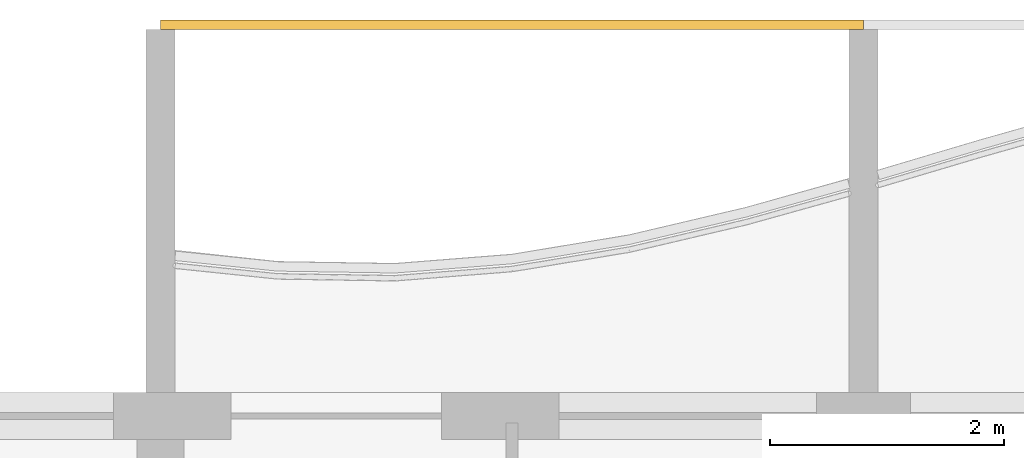
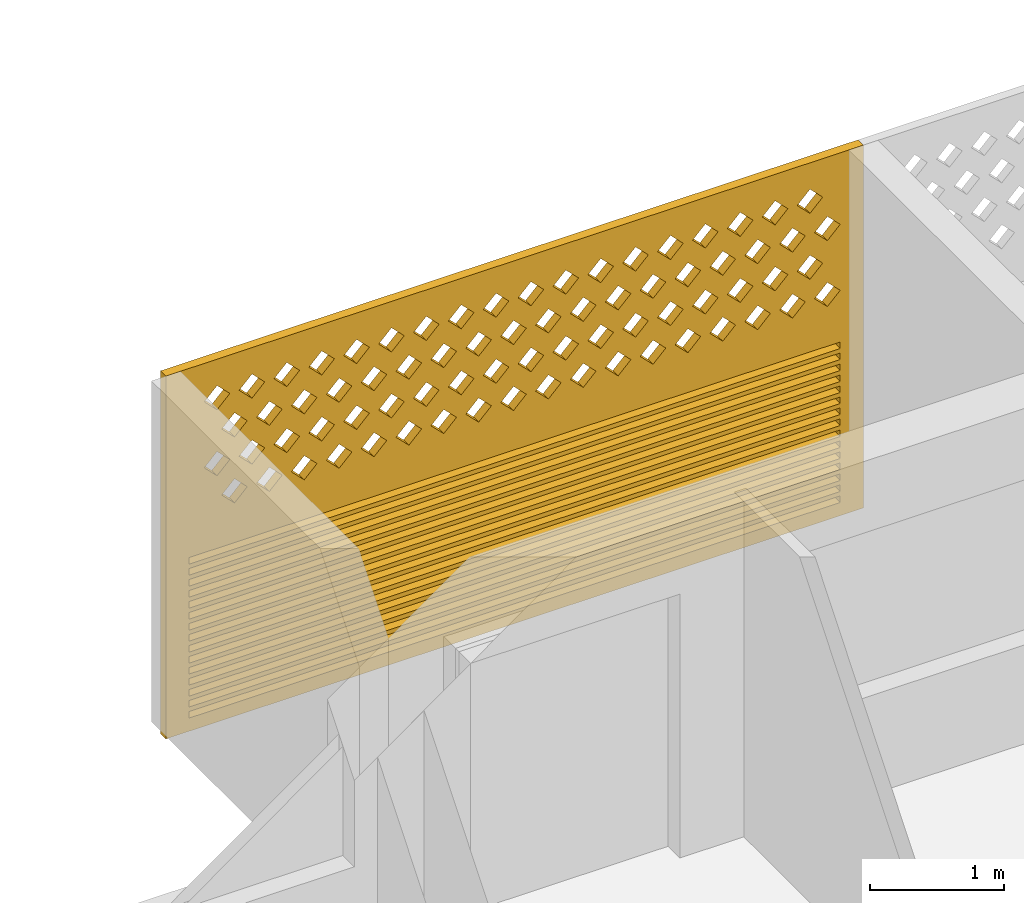
# One storey, part 34 of 40: 1 covering.
"""IFC4 building model written with IfcOpenShell, lengths in metres."""

from ifc_helpers import new_model, si_unit, direction, frame, origin, place, context, subcontext, project, spatial, polyline, outline, extrude, source, transform, mapped, material, material_profile, profile_set, type_object, element, save


model = new_model("IFC4")

# Units and contexts
model_context = context("Model", 3, precision=1e-05, world=origin(), true_north=direction((0.0, 1.0)))
body_context = subcontext(model_context, "Body", "Model", "MODEL_VIEW")
ifc_project = project(units=[si_unit("LENGTHUNIT", "METRE"), si_unit("AREAUNIT", "SQUARE_METRE"), si_unit("VOLUMEUNIT", "CUBIC_METRE"), si_unit("PLANEANGLEUNIT", "RADIAN"), si_unit("MASSUNIT", "GRAM", prefix="KILO")], contexts=[model_context])

# Site, building, storey
site_placement = place(None, origin())
site = spatial("IfcSite", under=ifc_project, at=site_placement, CompositionType="ELEMENT")
building_placement = place(site_placement, origin())
building = spatial("IfcBuilding", under=site, at=building_placement, Name="Poui Terraces", CompositionType="ELEMENT")
storey_placement = place(building_placement, frame((0.0, 0.0, 39.89990234375)))
storey = spatial("IfcBuildingStorey", under=building, at=storey_placement, Name="L10", CompositionType="ELEMENT", Elevation=39.89990234375)

# Covering
ifc_material = material(Name="Terracotta screen", Category="masonry")
ifc_material_profile = material_profile(ifc_material, outline(polyline([(-3.0, -1.64990234375), (3.0, -1.64990234375), (3.0, 1.64990234375), (-3.0, 1.64990234375), (-3.0, -1.64990234375)]), holes=[polyline([(-2.800048828125, 0.39990234375), (-2.68994140625, 0.2900390625), (-2.580078125, 0.39990234375), (-2.68994140625, 0.510009765625), (-2.800048828125, 0.39990234375)]), polyline([(-2.5, 0.39990234375), (-2.389892578125, 0.2900390625), (-2.280029296875, 0.39990234375), (-2.389892578125, 0.510009765625), (-2.5, 0.39990234375)]), polyline([(-2.199951171875, 0.39990234375), (-2.090087890625, 0.2900390625), (-1.97998046875, 0.39990234375), (-2.090087890625, 0.510009765625), (-2.199951171875, 0.39990234375)]), polyline([(-1.89990234375, 0.39990234375), (-1.7900390625, 0.2900390625), (-1.679931640625, 0.39990234375), (-1.7900390625, 0.510009765625), (-1.89990234375, 0.39990234375)]), polyline([(-1.60009765625, 0.39990234375), (-1.489990234375, 0.2900390625), (-1.3798828125, 0.39990234375), (-1.489990234375, 0.510009765625), (-1.60009765625, 0.39990234375)]), polyline([(-1.300048828125, 0.39990234375), (-1.18994140625, 0.2900390625), (-1.080078125, 0.39990234375), (-1.18994140625, 0.510009765625), (-1.300048828125, 0.39990234375)]), polyline([(-1.0, 0.39990234375), (-0.889892578125, 0.2900390625), (-0.780029296875, 0.39990234375), (-0.889892578125, 0.510009765625), (-1.0, 0.39990234375)]), polyline([(-0.699951171875, 0.39990234375), (-0.590087890625, 0.2900390625), (-0.47998046875, 0.39990234375), (-0.590087890625, 0.510009765625), (-0.699951171875, 0.39990234375)]), polyline([(-0.39990234375, 0.39990234375), (-0.2900390625, 0.2900390625), (-0.179931640625, 0.39990234375), (-0.2900390625, 0.510009765625), (-0.39990234375, 0.39990234375)]), polyline([(-0.10009765625, 0.39990234375), (0.010009765625, 0.2900390625), (0.1201171875, 0.39990234375), (0.010009765625, 0.510009765625), (-0.10009765625, 0.39990234375)]), polyline([(0.199951171875, 0.39990234375), (0.31005859375, 0.2900390625), (0.419921875, 0.39990234375), (0.31005859375, 0.510009765625), (0.199951171875, 0.39990234375)]), polyline([(0.5, 0.39990234375), (0.610107421875, 0.2900390625), (0.719970703125, 0.39990234375), (0.610107421875, 0.510009765625), (0.5, 0.39990234375)]), polyline([(0.800048828125, 0.39990234375), (0.909912109375, 0.2900390625), (1.02001953125, 0.39990234375), (0.909912109375, 0.510009765625), (0.800048828125, 0.39990234375)]), polyline([(1.10009765625, 0.39990234375), (1.2099609375, 0.2900390625), (1.320068359375, 0.39990234375), (1.2099609375, 0.510009765625), (1.10009765625, 0.39990234375)]), polyline([(1.39990234375, 0.39990234375), (1.510009765625, 0.2900390625), (1.6201171875, 0.39990234375), (1.510009765625, 0.510009765625), (1.39990234375, 0.39990234375)]), polyline([(1.699951171875, 0.39990234375), (1.81005859375, 0.2900390625), (1.919921875, 0.39990234375), (1.81005859375, 0.510009765625), (1.699951171875, 0.39990234375)]), polyline([(2.0, 0.39990234375), (2.110107421875, 0.2900390625), (2.219970703125, 0.39990234375), (2.110107421875, 0.510009765625), (2.0, 0.39990234375)]), polyline([(2.300048828125, 0.39990234375), (2.409912109375, 0.2900390625), (2.52001953125, 0.39990234375), (2.409912109375, 0.510009765625), (2.300048828125, 0.39990234375)]), polyline([(-2.64990234375, 0.699951171875), (-2.5400390625, 0.590087890625), (-2.429931640625, 0.699951171875), (-2.5400390625, 0.81005859375), (-2.64990234375, 0.699951171875)]), polyline([(-2.35009765625, 0.699951171875), (-2.239990234375, 0.590087890625), (-2.1298828125, 0.699951171875), (-2.239990234375, 0.81005859375), (-2.35009765625, 0.699951171875)]), polyline([(-2.050048828125, 0.699951171875), (-1.93994140625, 0.590087890625), (-1.830078125, 0.699951171875), (-1.93994140625, 0.81005859375), (-2.050048828125, 0.699951171875)]), polyline([(-1.75, 0.699951171875), (-1.639892578125, 0.590087890625), (-1.530029296875, 0.699951171875), (-1.639892578125, 0.81005859375), (-1.75, 0.699951171875)]), polyline([(-1.449951171875, 0.699951171875), (-1.340087890625, 0.590087890625), (-1.22998046875, 0.699951171875), (-1.340087890625, 0.81005859375), (-1.449951171875, 0.699951171875)]), polyline([(-1.14990234375, 0.699951171875), (-1.0400390625, 0.590087890625), (-0.929931640625, 0.699951171875), (-1.0400390625, 0.81005859375), (-1.14990234375, 0.699951171875)]), polyline([(-0.85009765625, 0.699951171875), (-0.739990234375, 0.590087890625), (-0.6298828125, 0.699951171875), (-0.739990234375, 0.81005859375), (-0.85009765625, 0.699951171875)]), polyline([(-0.550048828125, 0.699951171875), (-0.43994140625, 0.590087890625), (-0.330078125, 0.699951171875), (-0.43994140625, 0.81005859375), (-0.550048828125, 0.699951171875)]), polyline([(-0.25, 0.699951171875), (-0.139892578125, 0.590087890625), (-0.030029296875, 0.699951171875), (-0.139892578125, 0.81005859375), (-0.25, 0.699951171875)]), polyline([(0.050048828125, 0.699951171875), (0.159912109375, 0.590087890625), (0.27001953125, 0.699951171875), (0.159912109375, 0.81005859375), (0.050048828125, 0.699951171875)]), polyline([(0.35009765625, 0.699951171875), (0.4599609375, 0.590087890625), (0.570068359375, 0.699951171875), (0.4599609375, 0.81005859375), (0.35009765625, 0.699951171875)]), polyline([(0.64990234375, 0.699951171875), (0.760009765625, 0.590087890625), (0.8701171875, 0.699951171875), (0.760009765625, 0.81005859375), (0.64990234375, 0.699951171875)]), polyline([(0.949951171875, 0.699951171875), (1.06005859375, 0.590087890625), (1.169921875, 0.699951171875), (1.06005859375, 0.81005859375), (0.949951171875, 0.699951171875)]), polyline([(1.25, 0.699951171875), (1.360107421875, 0.590087890625), (1.469970703125, 0.699951171875), (1.360107421875, 0.81005859375), (1.25, 0.699951171875)]), polyline([(1.550048828125, 0.699951171875), (1.659912109375, 0.590087890625), (1.77001953125, 0.699951171875), (1.659912109375, 0.81005859375), (1.550048828125, 0.699951171875)]), polyline([(1.85009765625, 0.699951171875), (1.9599609375, 0.590087890625), (2.070068359375, 0.699951171875), (1.9599609375, 0.81005859375), (1.85009765625, 0.699951171875)]), polyline([(2.14990234375, 0.699951171875), (2.260009765625, 0.590087890625), (2.3701171875, 0.699951171875), (2.260009765625, 0.81005859375), (2.14990234375, 0.699951171875)]), polyline([(2.449951171875, 0.699951171875), (2.56005859375, 0.590087890625), (2.669921875, 0.699951171875), (2.56005859375, 0.81005859375), (2.449951171875, 0.699951171875)]), polyline([(-2.800048828125, 1.0), (-2.68994140625, 0.889892578125), (-2.580078125, 1.0), (-2.68994140625, 1.110107421875), (-2.800048828125, 1.0)]), polyline([(-2.5, 1.0), (-2.389892578125, 0.889892578125), (-2.280029296875, 1.0), (-2.389892578125, 1.110107421875), (-2.5, 1.0)]), polyline([(-2.199951171875, 1.0), (-2.090087890625, 0.889892578125), (-1.97998046875, 1.0), (-2.090087890625, 1.110107421875), (-2.199951171875, 1.0)]), polyline([(-1.89990234375, 1.0), (-1.7900390625, 0.889892578125), (-1.679931640625, 1.0), (-1.7900390625, 1.110107421875), (-1.89990234375, 1.0)]), polyline([(-1.60009765625, 1.0), (-1.489990234375, 0.889892578125), (-1.3798828125, 1.0), (-1.489990234375, 1.110107421875), (-1.60009765625, 1.0)]), polyline([(-1.300048828125, 1.0), (-1.18994140625, 0.889892578125), (-1.080078125, 1.0), (-1.18994140625, 1.110107421875), (-1.300048828125, 1.0)]), polyline([(-1.0, 1.0), (-0.889892578125, 0.889892578125), (-0.780029296875, 1.0), (-0.889892578125, 1.110107421875), (-1.0, 1.0)]), polyline([(-0.699951171875, 1.0), (-0.590087890625, 0.889892578125), (-0.47998046875, 1.0), (-0.590087890625, 1.110107421875), (-0.699951171875, 1.0)]), polyline([(-0.39990234375, 1.0), (-0.2900390625, 0.889892578125), (-0.179931640625, 1.0), (-0.2900390625, 1.110107421875), (-0.39990234375, 1.0)]), polyline([(-0.10009765625, 1.0), (0.010009765625, 0.889892578125), (0.1201171875, 1.0), (0.010009765625, 1.110107421875), (-0.10009765625, 1.0)]), polyline([(0.199951171875, 1.0), (0.31005859375, 0.889892578125), (0.419921875, 1.0), (0.31005859375, 1.110107421875), (0.199951171875, 1.0)]), polyline([(0.5, 1.0), (0.610107421875, 0.889892578125), (0.719970703125, 1.0), (0.610107421875, 1.110107421875), (0.5, 1.0)]), polyline([(0.800048828125, 1.0), (0.909912109375, 0.889892578125), (1.02001953125, 1.0), (0.909912109375, 1.110107421875), (0.800048828125, 1.0)]), polyline([(1.10009765625, 1.0), (1.2099609375, 0.889892578125), (1.320068359375, 1.0), (1.2099609375, 1.110107421875), (1.10009765625, 1.0)]), polyline([(1.39990234375, 1.0), (1.510009765625, 0.889892578125), (1.6201171875, 1.0), (1.510009765625, 1.110107421875), (1.39990234375, 1.0)]), polyline([(1.699951171875, 1.0), (1.81005859375, 0.889892578125), (1.919921875, 1.0), (1.81005859375, 1.110107421875), (1.699951171875, 1.0)]), polyline([(2.0, 1.0), (2.110107421875, 0.889892578125), (2.219970703125, 1.0), (2.110107421875, 1.110107421875), (2.0, 1.0)]), polyline([(2.300048828125, 1.0), (2.409912109375, 0.889892578125), (2.52001953125, 1.0), (2.409912109375, 1.110107421875), (2.300048828125, 1.0)]), polyline([(-2.64990234375, 1.300048828125), (-2.5400390625, 1.18994140625), (-2.429931640625, 1.300048828125), (-2.5400390625, 1.409912109375), (-2.64990234375, 1.300048828125)]), polyline([(-2.35009765625, 1.300048828125), (-2.239990234375, 1.18994140625), (-2.1298828125, 1.300048828125), (-2.239990234375, 1.409912109375), (-2.35009765625, 1.300048828125)]), polyline([(-2.050048828125, 1.300048828125), (-1.93994140625, 1.18994140625), (-1.830078125, 1.300048828125), (-1.93994140625, 1.409912109375), (-2.050048828125, 1.300048828125)]), polyline([(-1.75, 1.300048828125), (-1.639892578125, 1.18994140625), (-1.530029296875, 1.300048828125), (-1.639892578125, 1.409912109375), (-1.75, 1.300048828125)]), polyline([(-1.449951171875, 1.300048828125), (-1.340087890625, 1.18994140625), (-1.22998046875, 1.300048828125), (-1.340087890625, 1.409912109375), (-1.449951171875, 1.300048828125)]), polyline([(-1.14990234375, 1.300048828125), (-1.0400390625, 1.18994140625), (-0.929931640625, 1.300048828125), (-1.0400390625, 1.409912109375), (-1.14990234375, 1.300048828125)]), polyline([(-0.85009765625, 1.300048828125), (-0.739990234375, 1.18994140625), (-0.6298828125, 1.300048828125), (-0.739990234375, 1.409912109375), (-0.85009765625, 1.300048828125)]), polyline([(-0.550048828125, 1.300048828125), (-0.43994140625, 1.18994140625), (-0.330078125, 1.300048828125), (-0.43994140625, 1.409912109375), (-0.550048828125, 1.300048828125)]), polyline([(-0.25, 1.300048828125), (-0.139892578125, 1.18994140625), (-0.030029296875, 1.300048828125), (-0.139892578125, 1.409912109375), (-0.25, 1.300048828125)]), polyline([(0.050048828125, 1.300048828125), (0.159912109375, 1.18994140625), (0.27001953125, 1.300048828125), (0.159912109375, 1.409912109375), (0.050048828125, 1.300048828125)]), polyline([(0.35009765625, 1.300048828125), (0.4599609375, 1.18994140625), (0.570068359375, 1.300048828125), (0.4599609375, 1.409912109375), (0.35009765625, 1.300048828125)]), polyline([(0.64990234375, 1.300048828125), (0.760009765625, 1.18994140625), (0.8701171875, 1.300048828125), (0.760009765625, 1.409912109375), (0.64990234375, 1.300048828125)]), polyline([(0.949951171875, 1.300048828125), (1.06005859375, 1.18994140625), (1.169921875, 1.300048828125), (1.06005859375, 1.409912109375), (0.949951171875, 1.300048828125)]), polyline([(1.25, 1.300048828125), (1.360107421875, 1.18994140625), (1.469970703125, 1.300048828125), (1.360107421875, 1.409912109375), (1.25, 1.300048828125)]), polyline([(1.550048828125, 1.300048828125), (1.659912109375, 1.18994140625), (1.77001953125, 1.300048828125), (1.659912109375, 1.409912109375), (1.550048828125, 1.300048828125)]), polyline([(1.85009765625, 1.300048828125), (1.9599609375, 1.18994140625), (2.070068359375, 1.300048828125), (1.9599609375, 1.409912109375), (1.85009765625, 1.300048828125)]), polyline([(2.14990234375, 1.300048828125), (2.260009765625, 1.18994140625), (2.3701171875, 1.300048828125), (2.260009765625, 1.409912109375), (2.14990234375, 1.300048828125)]), polyline([(2.449951171875, 1.300048828125), (2.56005859375, 1.18994140625), (2.669921875, 1.300048828125), (2.56005859375, 1.409912109375), (2.449951171875, 1.300048828125)]), polyline([(-2.800048828125, -1.530029296875), (2.800048828125, -1.530029296875), (2.800048828125, -1.469970703125), (-2.800048828125, -1.469970703125), (-2.800048828125, -1.530029296875)]), polyline([(-2.800048828125, -1.429931640625), (2.800048828125, -1.429931640625), (2.800048828125, -1.3701171875), (-2.800048828125, -1.3701171875), (-2.800048828125, -1.429931640625)]), polyline([(-2.800048828125, -1.330078125), (2.800048828125, -1.330078125), (2.800048828125, -1.27001953125), (-2.800048828125, -1.27001953125), (-2.800048828125, -1.330078125)]), polyline([(-2.800048828125, -1.22998046875), (2.800048828125, -1.22998046875), (2.800048828125, -1.169921875), (-2.800048828125, -1.169921875), (-2.800048828125, -1.22998046875)]), polyline([(-2.800048828125, -1.1298828125), (2.800048828125, -1.1298828125), (2.800048828125, -1.070068359375), (-2.800048828125, -1.070068359375), (-2.800048828125, -1.1298828125)]), polyline([(-2.800048828125, -1.030029296875), (2.800048828125, -1.030029296875), (2.800048828125, -0.969970703125), (-2.800048828125, -0.969970703125), (-2.800048828125, -1.030029296875)]), polyline([(-2.800048828125, -0.929931640625), (2.800048828125, -0.929931640625), (2.800048828125, -0.8701171875), (-2.800048828125, -0.8701171875), (-2.800048828125, -0.929931640625)]), polyline([(-2.800048828125, -0.830078125), (2.800048828125, -0.830078125), (2.800048828125, -0.77001953125), (-2.800048828125, -0.77001953125), (-2.800048828125, -0.830078125)]), polyline([(-2.800048828125, -0.72998046875), (2.800048828125, -0.72998046875), (2.800048828125, -0.669921875), (-2.800048828125, -0.669921875), (-2.800048828125, -0.72998046875)]), polyline([(-2.800048828125, -0.6298828125), (2.800048828125, -0.6298828125), (2.800048828125, -0.570068359375), (-2.800048828125, -0.570068359375), (-2.800048828125, -0.6298828125)]), polyline([(-2.800048828125, -0.530029296875), (2.800048828125, -0.530029296875), (2.800048828125, -0.469970703125), (-2.800048828125, -0.469970703125), (-2.800048828125, -0.530029296875)]), polyline([(-2.800048828125, -0.429931640625), (2.800048828125, -0.429931640625), (2.800048828125, -0.3701171875), (-2.800048828125, -0.3701171875), (-2.800048828125, -0.429931640625)]), polyline([(-2.800048828125, -0.330078125), (2.800048828125, -0.330078125), (2.800048828125, -0.27001953125), (-2.800048828125, -0.27001953125), (-2.800048828125, -0.330078125)]), polyline([(-2.800048828125, -0.22998046875), (2.800048828125, -0.22998046875), (2.800048828125, -0.169921875), (-2.800048828125, -0.169921875), (-2.800048828125, -0.22998046875)]), polyline([(-2.800048828125, -0.1298828125), (2.800048828125, -0.1298828125), (2.800048828125, -0.070068359375), (-2.800048828125, -0.070068359375), (-2.800048828125, -0.1298828125)])]), Name="TERRACOTTA SCREEN AND JALOUSIE LOUVRE 6000X3300")
ifc_profile_set = profile_set([ifc_material_profile], Name="Terracotta screen")
covering_type = type_object("IfcCoveringType", Name="TERRACOTTA SCREEN AND JALOUSIE LOUVRE 6000X3300", PredefinedType="CLADDING", material=ifc_profile_set)
shared_shape = source(origin(), body_context, "Body", "SweptSolid", [
    extrude(outline(polyline([(-3.0, -1.64990234375), (3.0, -1.64990234375), (3.0, 1.64990234375), (-3.0, 1.64990234375), (-3.0, -1.64990234375)]), holes=[polyline([(-2.800048828125, 0.39990234375), (-2.68994140625, 0.2900390625), (-2.580078125, 0.39990234375), (-2.68994140625, 0.510009765625), (-2.800048828125, 0.39990234375)]), polyline([(-2.5, 0.39990234375), (-2.389892578125, 0.2900390625), (-2.280029296875, 0.39990234375), (-2.389892578125, 0.510009765625), (-2.5, 0.39990234375)]), polyline([(-2.199951171875, 0.39990234375), (-2.090087890625, 0.2900390625), (-1.97998046875, 0.39990234375), (-2.090087890625, 0.510009765625), (-2.199951171875, 0.39990234375)]), polyline([(-1.89990234375, 0.39990234375), (-1.7900390625, 0.2900390625), (-1.679931640625, 0.39990234375), (-1.7900390625, 0.510009765625), (-1.89990234375, 0.39990234375)]), polyline([(-1.60009765625, 0.39990234375), (-1.489990234375, 0.2900390625), (-1.3798828125, 0.39990234375), (-1.489990234375, 0.510009765625), (-1.60009765625, 0.39990234375)]), polyline([(-1.300048828125, 0.39990234375), (-1.18994140625, 0.2900390625), (-1.080078125, 0.39990234375), (-1.18994140625, 0.510009765625), (-1.300048828125, 0.39990234375)]), polyline([(-1.0, 0.39990234375), (-0.889892578125, 0.2900390625), (-0.780029296875, 0.39990234375), (-0.889892578125, 0.510009765625), (-1.0, 0.39990234375)]), polyline([(-0.699951171875, 0.39990234375), (-0.590087890625, 0.2900390625), (-0.47998046875, 0.39990234375), (-0.590087890625, 0.510009765625), (-0.699951171875, 0.39990234375)]), polyline([(-0.39990234375, 0.39990234375), (-0.2900390625, 0.2900390625), (-0.179931640625, 0.39990234375), (-0.2900390625, 0.510009765625), (-0.39990234375, 0.39990234375)]), polyline([(-0.10009765625, 0.39990234375), (0.010009765625, 0.2900390625), (0.1201171875, 0.39990234375), (0.010009765625, 0.510009765625), (-0.10009765625, 0.39990234375)]), polyline([(0.199951171875, 0.39990234375), (0.31005859375, 0.2900390625), (0.419921875, 0.39990234375), (0.31005859375, 0.510009765625), (0.199951171875, 0.39990234375)]), polyline([(0.5, 0.39990234375), (0.610107421875, 0.2900390625), (0.719970703125, 0.39990234375), (0.610107421875, 0.510009765625), (0.5, 0.39990234375)]), polyline([(0.800048828125, 0.39990234375), (0.909912109375, 0.2900390625), (1.02001953125, 0.39990234375), (0.909912109375, 0.510009765625), (0.800048828125, 0.39990234375)]), polyline([(1.10009765625, 0.39990234375), (1.2099609375, 0.2900390625), (1.320068359375, 0.39990234375), (1.2099609375, 0.510009765625), (1.10009765625, 0.39990234375)]), polyline([(1.39990234375, 0.39990234375), (1.510009765625, 0.2900390625), (1.6201171875, 0.39990234375), (1.510009765625, 0.510009765625), (1.39990234375, 0.39990234375)]), polyline([(1.699951171875, 0.39990234375), (1.81005859375, 0.2900390625), (1.919921875, 0.39990234375), (1.81005859375, 0.510009765625), (1.699951171875, 0.39990234375)]), polyline([(2.0, 0.39990234375), (2.110107421875, 0.2900390625), (2.219970703125, 0.39990234375), (2.110107421875, 0.510009765625), (2.0, 0.39990234375)]), polyline([(2.300048828125, 0.39990234375), (2.409912109375, 0.2900390625), (2.52001953125, 0.39990234375), (2.409912109375, 0.510009765625), (2.300048828125, 0.39990234375)]), polyline([(-2.64990234375, 0.699951171875), (-2.5400390625, 0.590087890625), (-2.429931640625, 0.699951171875), (-2.5400390625, 0.81005859375), (-2.64990234375, 0.699951171875)]), polyline([(-2.35009765625, 0.699951171875), (-2.239990234375, 0.590087890625), (-2.1298828125, 0.699951171875), (-2.239990234375, 0.81005859375), (-2.35009765625, 0.699951171875)]), polyline([(-2.050048828125, 0.699951171875), (-1.93994140625, 0.590087890625), (-1.830078125, 0.699951171875), (-1.93994140625, 0.81005859375), (-2.050048828125, 0.699951171875)]), polyline([(-1.75, 0.699951171875), (-1.639892578125, 0.590087890625), (-1.530029296875, 0.699951171875), (-1.639892578125, 0.81005859375), (-1.75, 0.699951171875)]), polyline([(-1.449951171875, 0.699951171875), (-1.340087890625, 0.590087890625), (-1.22998046875, 0.699951171875), (-1.340087890625, 0.81005859375), (-1.449951171875, 0.699951171875)]), polyline([(-1.14990234375, 0.699951171875), (-1.0400390625, 0.590087890625), (-0.929931640625, 0.699951171875), (-1.0400390625, 0.81005859375), (-1.14990234375, 0.699951171875)]), polyline([(-0.85009765625, 0.699951171875), (-0.739990234375, 0.590087890625), (-0.6298828125, 0.699951171875), (-0.739990234375, 0.81005859375), (-0.85009765625, 0.699951171875)]), polyline([(-0.550048828125, 0.699951171875), (-0.43994140625, 0.590087890625), (-0.330078125, 0.699951171875), (-0.43994140625, 0.81005859375), (-0.550048828125, 0.699951171875)]), polyline([(-0.25, 0.699951171875), (-0.139892578125, 0.590087890625), (-0.030029296875, 0.699951171875), (-0.139892578125, 0.81005859375), (-0.25, 0.699951171875)]), polyline([(0.050048828125, 0.699951171875), (0.159912109375, 0.590087890625), (0.27001953125, 0.699951171875), (0.159912109375, 0.81005859375), (0.050048828125, 0.699951171875)]), polyline([(0.35009765625, 0.699951171875), (0.4599609375, 0.590087890625), (0.570068359375, 0.699951171875), (0.4599609375, 0.81005859375), (0.35009765625, 0.699951171875)]), polyline([(0.64990234375, 0.699951171875), (0.760009765625, 0.590087890625), (0.8701171875, 0.699951171875), (0.760009765625, 0.81005859375), (0.64990234375, 0.699951171875)]), polyline([(0.949951171875, 0.699951171875), (1.06005859375, 0.590087890625), (1.169921875, 0.699951171875), (1.06005859375, 0.81005859375), (0.949951171875, 0.699951171875)]), polyline([(1.25, 0.699951171875), (1.360107421875, 0.590087890625), (1.469970703125, 0.699951171875), (1.360107421875, 0.81005859375), (1.25, 0.699951171875)]), polyline([(1.550048828125, 0.699951171875), (1.659912109375, 0.590087890625), (1.77001953125, 0.699951171875), (1.659912109375, 0.81005859375), (1.550048828125, 0.699951171875)]), polyline([(1.85009765625, 0.699951171875), (1.9599609375, 0.590087890625), (2.070068359375, 0.699951171875), (1.9599609375, 0.81005859375), (1.85009765625, 0.699951171875)]), polyline([(2.14990234375, 0.699951171875), (2.260009765625, 0.590087890625), (2.3701171875, 0.699951171875), (2.260009765625, 0.81005859375), (2.14990234375, 0.699951171875)]), polyline([(2.449951171875, 0.699951171875), (2.56005859375, 0.590087890625), (2.669921875, 0.699951171875), (2.56005859375, 0.81005859375), (2.449951171875, 0.699951171875)]), polyline([(-2.800048828125, 1.0), (-2.68994140625, 0.889892578125), (-2.580078125, 1.0), (-2.68994140625, 1.110107421875), (-2.800048828125, 1.0)]), polyline([(-2.5, 1.0), (-2.389892578125, 0.889892578125), (-2.280029296875, 1.0), (-2.389892578125, 1.110107421875), (-2.5, 1.0)]), polyline([(-2.199951171875, 1.0), (-2.090087890625, 0.889892578125), (-1.97998046875, 1.0), (-2.090087890625, 1.110107421875), (-2.199951171875, 1.0)]), polyline([(-1.89990234375, 1.0), (-1.7900390625, 0.889892578125), (-1.679931640625, 1.0), (-1.7900390625, 1.110107421875), (-1.89990234375, 1.0)]), polyline([(-1.60009765625, 1.0), (-1.489990234375, 0.889892578125), (-1.3798828125, 1.0), (-1.489990234375, 1.110107421875), (-1.60009765625, 1.0)]), polyline([(-1.300048828125, 1.0), (-1.18994140625, 0.889892578125), (-1.080078125, 1.0), (-1.18994140625, 1.110107421875), (-1.300048828125, 1.0)]), polyline([(-1.0, 1.0), (-0.889892578125, 0.889892578125), (-0.780029296875, 1.0), (-0.889892578125, 1.110107421875), (-1.0, 1.0)]), polyline([(-0.699951171875, 1.0), (-0.590087890625, 0.889892578125), (-0.47998046875, 1.0), (-0.590087890625, 1.110107421875), (-0.699951171875, 1.0)]), polyline([(-0.39990234375, 1.0), (-0.2900390625, 0.889892578125), (-0.179931640625, 1.0), (-0.2900390625, 1.110107421875), (-0.39990234375, 1.0)]), polyline([(-0.10009765625, 1.0), (0.010009765625, 0.889892578125), (0.1201171875, 1.0), (0.010009765625, 1.110107421875), (-0.10009765625, 1.0)]), polyline([(0.199951171875, 1.0), (0.31005859375, 0.889892578125), (0.419921875, 1.0), (0.31005859375, 1.110107421875), (0.199951171875, 1.0)]), polyline([(0.5, 1.0), (0.610107421875, 0.889892578125), (0.719970703125, 1.0), (0.610107421875, 1.110107421875), (0.5, 1.0)]), polyline([(0.800048828125, 1.0), (0.909912109375, 0.889892578125), (1.02001953125, 1.0), (0.909912109375, 1.110107421875), (0.800048828125, 1.0)]), polyline([(1.10009765625, 1.0), (1.2099609375, 0.889892578125), (1.320068359375, 1.0), (1.2099609375, 1.110107421875), (1.10009765625, 1.0)]), polyline([(1.39990234375, 1.0), (1.510009765625, 0.889892578125), (1.6201171875, 1.0), (1.510009765625, 1.110107421875), (1.39990234375, 1.0)]), polyline([(1.699951171875, 1.0), (1.81005859375, 0.889892578125), (1.919921875, 1.0), (1.81005859375, 1.110107421875), (1.699951171875, 1.0)]), polyline([(2.0, 1.0), (2.110107421875, 0.889892578125), (2.219970703125, 1.0), (2.110107421875, 1.110107421875), (2.0, 1.0)]), polyline([(2.300048828125, 1.0), (2.409912109375, 0.889892578125), (2.52001953125, 1.0), (2.409912109375, 1.110107421875), (2.300048828125, 1.0)]), polyline([(-2.64990234375, 1.300048828125), (-2.5400390625, 1.18994140625), (-2.429931640625, 1.300048828125), (-2.5400390625, 1.409912109375), (-2.64990234375, 1.300048828125)]), polyline([(-2.35009765625, 1.300048828125), (-2.239990234375, 1.18994140625), (-2.1298828125, 1.300048828125), (-2.239990234375, 1.409912109375), (-2.35009765625, 1.300048828125)]), polyline([(-2.050048828125, 1.300048828125), (-1.93994140625, 1.18994140625), (-1.830078125, 1.300048828125), (-1.93994140625, 1.409912109375), (-2.050048828125, 1.300048828125)]), polyline([(-1.75, 1.300048828125), (-1.639892578125, 1.18994140625), (-1.530029296875, 1.300048828125), (-1.639892578125, 1.409912109375), (-1.75, 1.300048828125)]), polyline([(-1.449951171875, 1.300048828125), (-1.340087890625, 1.18994140625), (-1.22998046875, 1.300048828125), (-1.340087890625, 1.409912109375), (-1.449951171875, 1.300048828125)]), polyline([(-1.14990234375, 1.300048828125), (-1.0400390625, 1.18994140625), (-0.929931640625, 1.300048828125), (-1.0400390625, 1.409912109375), (-1.14990234375, 1.300048828125)]), polyline([(-0.85009765625, 1.300048828125), (-0.739990234375, 1.18994140625), (-0.6298828125, 1.300048828125), (-0.739990234375, 1.409912109375), (-0.85009765625, 1.300048828125)]), polyline([(-0.550048828125, 1.300048828125), (-0.43994140625, 1.18994140625), (-0.330078125, 1.300048828125), (-0.43994140625, 1.409912109375), (-0.550048828125, 1.300048828125)]), polyline([(-0.25, 1.300048828125), (-0.139892578125, 1.18994140625), (-0.030029296875, 1.300048828125), (-0.139892578125, 1.409912109375), (-0.25, 1.300048828125)]), polyline([(0.050048828125, 1.300048828125), (0.159912109375, 1.18994140625), (0.27001953125, 1.300048828125), (0.159912109375, 1.409912109375), (0.050048828125, 1.300048828125)]), polyline([(0.35009765625, 1.300048828125), (0.4599609375, 1.18994140625), (0.570068359375, 1.300048828125), (0.4599609375, 1.409912109375), (0.35009765625, 1.300048828125)]), polyline([(0.64990234375, 1.300048828125), (0.760009765625, 1.18994140625), (0.8701171875, 1.300048828125), (0.760009765625, 1.409912109375), (0.64990234375, 1.300048828125)]), polyline([(0.949951171875, 1.300048828125), (1.06005859375, 1.18994140625), (1.169921875, 1.300048828125), (1.06005859375, 1.409912109375), (0.949951171875, 1.300048828125)]), polyline([(1.25, 1.300048828125), (1.360107421875, 1.18994140625), (1.469970703125, 1.300048828125), (1.360107421875, 1.409912109375), (1.25, 1.300048828125)]), polyline([(1.550048828125, 1.300048828125), (1.659912109375, 1.18994140625), (1.77001953125, 1.300048828125), (1.659912109375, 1.409912109375), (1.550048828125, 1.300048828125)]), polyline([(1.85009765625, 1.300048828125), (1.9599609375, 1.18994140625), (2.070068359375, 1.300048828125), (1.9599609375, 1.409912109375), (1.85009765625, 1.300048828125)]), polyline([(2.14990234375, 1.300048828125), (2.260009765625, 1.18994140625), (2.3701171875, 1.300048828125), (2.260009765625, 1.409912109375), (2.14990234375, 1.300048828125)]), polyline([(2.449951171875, 1.300048828125), (2.56005859375, 1.18994140625), (2.669921875, 1.300048828125), (2.56005859375, 1.409912109375), (2.449951171875, 1.300048828125)]), polyline([(-2.800048828125, -1.530029296875), (2.800048828125, -1.530029296875), (2.800048828125, -1.469970703125), (-2.800048828125, -1.469970703125), (-2.800048828125, -1.530029296875)]), polyline([(-2.800048828125, -1.429931640625), (2.800048828125, -1.429931640625), (2.800048828125, -1.3701171875), (-2.800048828125, -1.3701171875), (-2.800048828125, -1.429931640625)]), polyline([(-2.800048828125, -1.330078125), (2.800048828125, -1.330078125), (2.800048828125, -1.27001953125), (-2.800048828125, -1.27001953125), (-2.800048828125, -1.330078125)]), polyline([(-2.800048828125, -1.22998046875), (2.800048828125, -1.22998046875), (2.800048828125, -1.169921875), (-2.800048828125, -1.169921875), (-2.800048828125, -1.22998046875)]), polyline([(-2.800048828125, -1.1298828125), (2.800048828125, -1.1298828125), (2.800048828125, -1.070068359375), (-2.800048828125, -1.070068359375), (-2.800048828125, -1.1298828125)]), polyline([(-2.800048828125, -1.030029296875), (2.800048828125, -1.030029296875), (2.800048828125, -0.969970703125), (-2.800048828125, -0.969970703125), (-2.800048828125, -1.030029296875)]), polyline([(-2.800048828125, -0.929931640625), (2.800048828125, -0.929931640625), (2.800048828125, -0.8701171875), (-2.800048828125, -0.8701171875), (-2.800048828125, -0.929931640625)]), polyline([(-2.800048828125, -0.830078125), (2.800048828125, -0.830078125), (2.800048828125, -0.77001953125), (-2.800048828125, -0.77001953125), (-2.800048828125, -0.830078125)]), polyline([(-2.800048828125, -0.72998046875), (2.800048828125, -0.72998046875), (2.800048828125, -0.669921875), (-2.800048828125, -0.669921875), (-2.800048828125, -0.72998046875)]), polyline([(-2.800048828125, -0.6298828125), (2.800048828125, -0.6298828125), (2.800048828125, -0.570068359375), (-2.800048828125, -0.570068359375), (-2.800048828125, -0.6298828125)]), polyline([(-2.800048828125, -0.530029296875), (2.800048828125, -0.530029296875), (2.800048828125, -0.469970703125), (-2.800048828125, -0.469970703125), (-2.800048828125, -0.530029296875)]), polyline([(-2.800048828125, -0.429931640625), (2.800048828125, -0.429931640625), (2.800048828125, -0.3701171875), (-2.800048828125, -0.3701171875), (-2.800048828125, -0.429931640625)]), polyline([(-2.800048828125, -0.330078125), (2.800048828125, -0.330078125), (2.800048828125, -0.27001953125), (-2.800048828125, -0.27001953125), (-2.800048828125, -0.330078125)]), polyline([(-2.800048828125, -0.22998046875), (2.800048828125, -0.22998046875), (2.800048828125, -0.169921875), (-2.800048828125, -0.169921875), (-2.800048828125, -0.22998046875)]), polyline([(-2.800048828125, -0.1298828125), (2.800048828125, -0.1298828125), (2.800048828125, -0.070068359375), (-2.800048828125, -0.070068359375), (-2.800048828125, -0.1298828125)])]), origin(), (0.0, 0.0, 1.0), 0.079833984375),
])
covering_placement = place(storey_placement, frame((75.0, 48.10009765625, 1.4501953125), z_axis=(0.0, 1.0, 0.0), x_axis=(-1.0, 0.0, 0.0)))
element("IfcCovering", 1, at=covering_placement, inside=storey, type_object=covering_type, Name="SOLAR SCREEN AND JALOUSIE LOUVRE", PredefinedType="CLADDING", context=body_context, shape_type="MappedRepresentation", body=[
    mapped(shared_shape, transform((0.0, 0.0, 0.0))),
])

save(model, "model.ifc")
